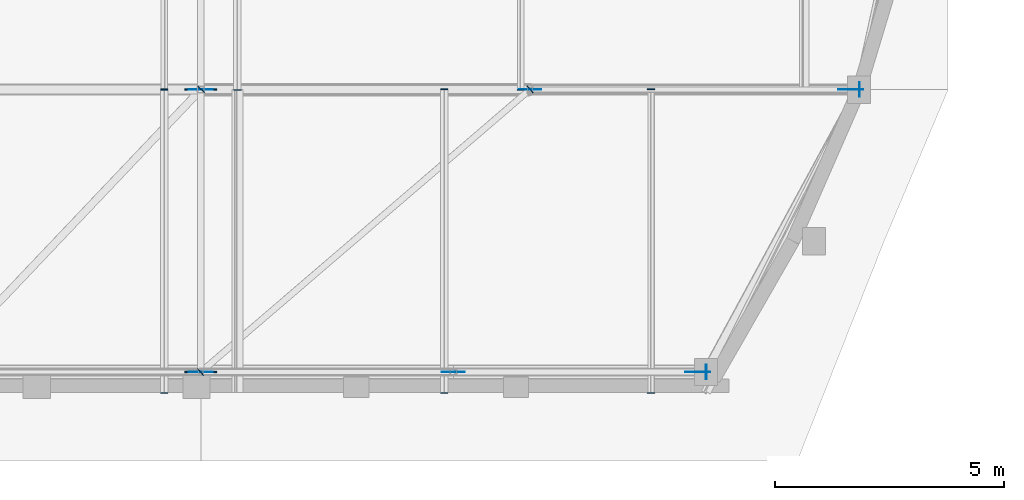
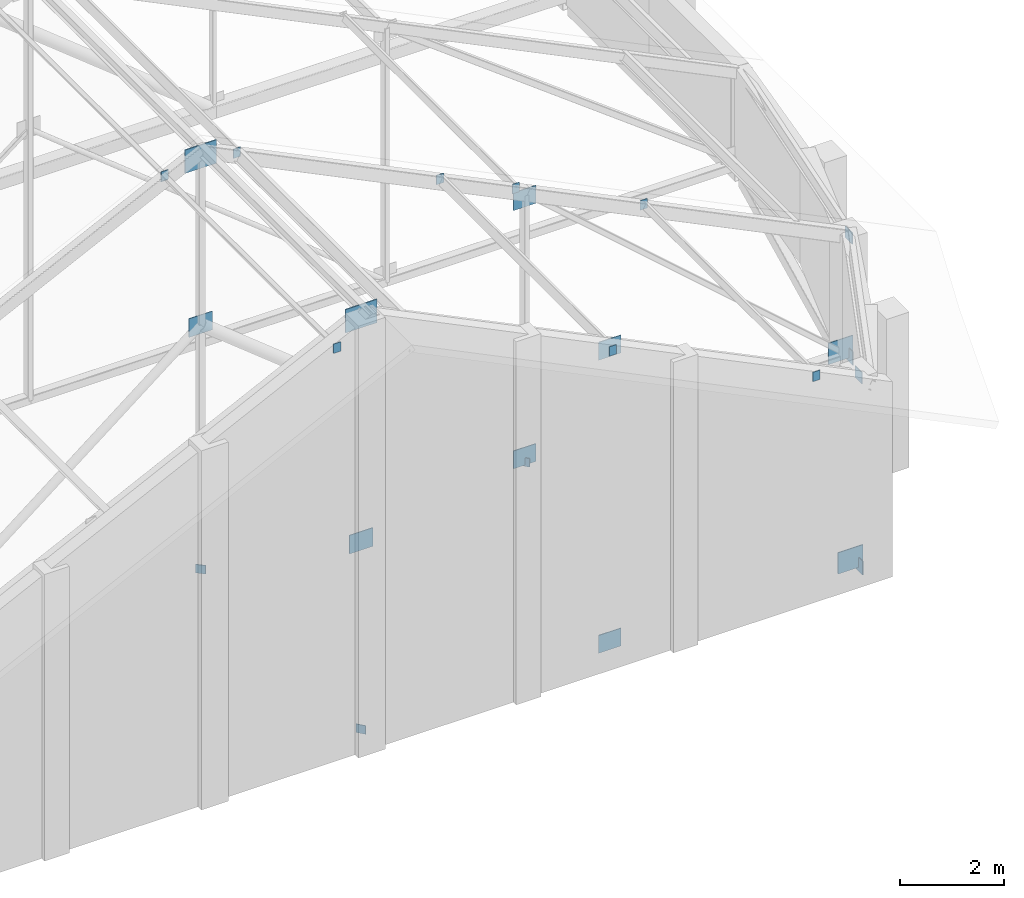
# One storey, part 39 of 78: 26 plates.
"""IFC4 building model written with IfcOpenShell, lengths in metres."""

from ifc_helpers import new_model, si_unit, direction, frame, origin, origin_2d, place, context, subcontext, project, spatial, rectangle, extrude, material, layer, layer_set, type_object, element, save


model = new_model("IFC4")

# Units and contexts
model_context = context("Model", 3, precision=1e-05, world=origin(), true_north=direction((0.0, 1.0)))
body_context = subcontext(model_context, "Body", "Model", "MODEL_VIEW")
ifc_project = project(units=[si_unit("LENGTHUNIT", "METRE"), si_unit("AREAUNIT", "SQUARE_METRE"), si_unit("VOLUMEUNIT", "CUBIC_METRE"), si_unit("PLANEANGLEUNIT", "RADIAN"), si_unit("MASSUNIT", "GRAM", prefix="KILO")], contexts=[model_context])

# Site, building, storey
site_placement = place(None, origin())
site = spatial("IfcSite", under=ifc_project, at=site_placement, CompositionType="ELEMENT")
building_placement = place(site_placement, origin())
building = spatial("IfcBuilding", under=site, at=building_placement, Name="Kelanivale Promenade Academy", CompositionType="ELEMENT")
storey_placement = place(building_placement, frame((0.0, 0.0, 16.199951171875)))
storey = spatial("IfcBuildingStorey", under=building, at=storey_placement, Name="L04", CompositionType="ELEMENT", Elevation=16.199951171875)

# Plates
ifc_material = material(Name="Steel S355", Category="steel")
ifc_layer_1 = layer(ifc_material, 0.01611328125)
ifc_layer_set_1 = layer_set([ifc_layer_1], Name="Steel S355")
plate_type_1 = type_object("IfcPlateType", Name="TN-CP16 Plate 16mm", PredefinedType="USERDEFINED", material=ifc_layer_set_1)
for number, where, z_axis, x_axis, name in (
    (1, (30.657958984375, 33.449951171875, 4.510009765625), (0.0, 0.0, 1.0), (1.0, 0.0, 0.0), "ROOF TRUSS TN-5 hollow-section end cap plate"),
    (2, (34.008056640625, 39.62890625, 2.8740234375), (0.0, 0.0, 1.0), (1.0, 0.0, 0.0), "ROOF TRUSS TN-5 hollow-section end cap plate"),
):
    element("IfcPlate", number, at=place(storey_placement, frame(where, z_axis=z_axis, x_axis=x_axis)), inside=storey, type_object=plate_type_1, Name=name, ObjectType="CAP PLATE", PredefinedType="USERDEFINED", context=body_context, shape_type="SweptSolid", body=[
        extrude(rectangle(XDim=0.01611328125, YDim=0.27001953125, at=origin_2d()), origin(), (0.0, 0.0, 1.0), 0.27001953125),
    ])
for number, where, z_axis, x_axis, name in (
    (3, (18.800048828125, 32.991943359375, 9.60498046875), (0.0, 0.0, 1.0), (0.0, -1.0, 0.0), "ROOF TRUSS TN-4 hollow-section end cap plate"),
    (4, (18.800048828125, 39.636962890625, 9.60498046875), (0.0, 0.0, 1.0), (0.0, 1.0, 0.0), "ROOF TRUSS TN-4 hollow-section end cap plate"),
    (5, (24.925048828125, 32.991943359375, 7.39501953125), (0.0, 0.0, 1.0), (0.0, -1.0, 0.0), "ROOF TRUSS TN-4 hollow-section end cap plate"),
    (6, (24.925048828125, 39.636962890625, 7.39501953125), (0.0, 0.0, 1.0), (0.0, 1.0, 0.0), "ROOF TRUSS TN-4 hollow-section end cap plate"),
    (7, (29.449951171875, 32.991943359375, 5.2138671875), (0.0, 0.0, 1.0), (0.0, -1.0, 0.0), "ROOF TRUSS TN-4 hollow-section end cap plate"),
    (8, (29.449951171875, 39.636962890625, 5.2138671875), (0.0, 0.0, 1.0), (0.0, 1.0, 0.0), "ROOF TRUSS TN-4 hollow-section end cap plate"),
):
    element("IfcPlate", number, at=place(storey_placement, frame(where, z_axis=z_axis, x_axis=x_axis)), inside=storey, type_object=plate_type_1, Name=name, ObjectType="CAP PLATE", PredefinedType="USERDEFINED", context=body_context, shape_type="SweptSolid", body=[
        extrude(rectangle(XDim=0.01611328125, YDim=0.159912109375, at=origin_2d()), origin(), (0.0, 0.0, 1.0), 0.219970703125),
    ])
for number, where, z_axis, x_axis, name in (
    (9, (19.60595703125, 39.635009765625, 0.10009765625), (0.0, 0.0, 1.0), (0.688734286451, 0.725013849983, 0.0), "ROOF TRUSS TN-3 hollow-section end cap plate"),
    (10, (19.593994140625, 33.445068359375, 0.10009765625), (0.0, 0.0, 1.0), (-0.758816796231, -0.651304130002, 0.0), "ROOF TRUSS TN-3 hollow-section end cap plate"),
    (11, (26.805908203125, 39.634033203125, 0.10009765625), (0.0, 0.0, 1.0), (0.758816796231, 0.651304130002, 0.0), "ROOF TRUSS TN-3 hollow-section end cap plate"),
):
    element("IfcPlate", number, at=place(storey_placement, frame(where, z_axis=z_axis, x_axis=x_axis)), inside=storey, type_object=plate_type_1, Name=name, ObjectType="CAP PLATE", PredefinedType="USERDEFINED", context=body_context, shape_type="SweptSolid", body=[
        extrude(rectangle(XDim=0.01611328125, YDim=0.199951171875, at=origin_2d()), origin(), (0.0, 0.0, 1.0), 0.199951171875),
    ])
for number, where, z_axis, x_axis, name in (
    (12, (18.800048828125, 39.62109375, 9.63330078125), (0.0, 0.0, 1.0), (0.0, -1.0, 0.0), "ROOF TRUSS TN-4 hollow-section end cap plate"),
    (13, (20.39990234375, 39.62109375, 9.60498046875), (0.0, 0.0, 1.0), (0.0, -1.0, 0.0), "ROOF TRUSS TN-4 hollow-section end cap plate"),
    (14, (26.60009765625, 39.62109375, 6.60498046875), (0.0, 0.0, 1.0), (0.0, -1.0, 0.0), "ROOF TRUSS TN-4 hollow-section end cap plate"),
):
    element("IfcPlate", number, at=place(storey_placement, frame(where, z_axis=z_axis, x_axis=x_axis)), inside=storey, type_object=plate_type_1, Name=name, ObjectType="CAP PLATE", PredefinedType="USERDEFINED", context=body_context, shape_type="SweptSolid", body=[
        extrude(rectangle(XDim=0.01611328125, YDim=0.159912109375, at=origin_2d()), origin(), (0.0, 0.0, 1.0), 0.219970703125),
    ])
ifc_layer_2 = layer(ifc_material, 0.02001953125)
ifc_layer_set_2 = layer_set([ifc_layer_2], Name="Steel S355")
plate_type_2 = type_object("IfcPlateType", Name="TN-CP20 Plate 20mm", PredefinedType="USERDEFINED", material=ifc_layer_set_2)
for number, where, z_axis, x_axis, name in (
    (15, (30.659912109375, 33.449951171875, 0.0400390625), (0.0, 0.0, 1.0), (1.0, 0.0, 0.0), "ROOF TRUSS TN-5 hollow-section end cap plate"),
    (16, (34.010009765625, 39.62890625, 0.0400390625), (0.0, 0.0, 1.0), (1.0, 0.0, 0.0), "ROOF TRUSS TN-5 hollow-section end cap plate"),
):
    element("IfcPlate", number, at=place(storey_placement, frame(where, z_axis=z_axis, x_axis=x_axis)), inside=storey, type_object=plate_type_2, Name=name, ObjectType="CAP PLATE", PredefinedType="USERDEFINED", context=body_context, shape_type="SweptSolid", body=[
        extrude(rectangle(XDim=0.02001953125, YDim=0.320068359375, at=origin_2d()), origin(), (0.0, 0.0, 1.0), 0.320068359375),
    ])
ifc_layer_3 = layer(ifc_material, 0.01611328125)
ifc_layer_set_3 = layer_set([ifc_layer_3], Name="Steel S355")
plate_type_3 = type_object("IfcPlateType", Name="TN-GP16 Plate 16mm", PredefinedType="USERDEFINED", material=ifc_layer_set_3)
plate_1_placement = place(storey_placement, frame((19.60009765625, 33.449951171875, 4.400146484375), z_axis=(0.0, 0.0, 1.0), x_axis=(1.0, 0.0, 0.0)))
element("IfcPlate", 17, at=plate_1_placement, inside=storey, type_object=plate_type_3, Name="ROOF TRUSS TN-2D welded node gusset plate", ObjectType="GUSSET PLATE", PredefinedType="USERDEFINED", context=body_context, shape_type="SweptSolid", body=[
    extrude(rectangle(XDim=0.52001953125, YDim=0.01611328125, at=origin_2d()), origin(), (0.0, 0.0, 1.0), 0.43994140625),
])
for number, where, z_axis, x_axis, name in (
    (18, (25.125, 33.449951171875, 0.130126953125), (0.0, 0.0, 1.0), (1.0, 0.0, 0.0), "ROOF TRUSS TN-3E welded node gusset plate"),
    (19, (25.125, 33.449951171875, 7.01416015625), (0.0, 0.0, 1.0), (1.0, 0.0, 0.0), "ROOF TRUSS TN-4E welded node gusset plate"),
):
    element("IfcPlate", number, at=place(storey_placement, frame(where, z_axis=z_axis, x_axis=x_axis)), inside=storey, type_object=plate_type_3, Name=name, ObjectType="GUSSET PLATE", PredefinedType="USERDEFINED", context=body_context, shape_type="SweptSolid", body=[
        extrude(rectangle(XDim=0.5, YDim=0.01611328125, at=origin_2d()), origin(), (0.0, 0.0, 1.0), 0.419921875),
    ])
plate_2_placement = place(storey_placement, frame((19.60009765625, 39.62890625, 5.739990234375), z_axis=(0.0, 0.0, 1.0), x_axis=(1.0, 0.0, 0.0)))
element("IfcPlate", 20, at=plate_2_placement, inside=storey, type_object=plate_type_3, Name="ROOF TRUSS TN-2D welded node gusset plate", ObjectType="GUSSET PLATE", PredefinedType="USERDEFINED", context=body_context, shape_type="SweptSolid", body=[
    extrude(rectangle(XDim=0.52001953125, YDim=0.01611328125, at=origin_2d()), origin(), (0.0, 0.0, 1.0), 0.43994140625),
])
for number, where, z_axis, x_axis, name in (
    (21, (26.800048828125, 39.62890625, 0.130126953125), (0.0, 0.0, 1.0), (1.0, 0.0, 0.0), "ROOF TRUSS TN-3E welded node gusset plate"),
    (22, (26.800048828125, 39.62890625, 6.196044921875), (0.0, 0.0, 1.0), (1.0, 0.0, 0.0), "ROOF TRUSS TN-4E welded node gusset plate"),
):
    element("IfcPlate", number, at=place(storey_placement, frame(where, z_axis=z_axis, x_axis=x_axis)), inside=storey, type_object=plate_type_3, Name=name, ObjectType="GUSSET PLATE", PredefinedType="USERDEFINED", context=body_context, shape_type="SweptSolid", body=[
        extrude(rectangle(XDim=0.5, YDim=0.01611328125, at=origin_2d()), origin(), (0.0, 0.0, 1.0), 0.419921875),
    ])
ifc_layer_4 = layer(ifc_material, 0.02001953125)
ifc_layer_set_4 = layer_set([ifc_layer_4], Name="Steel S355")
plate_type_4 = type_object("IfcPlateType", Name="TN-GP20 Plate 20mm", PredefinedType="USERDEFINED", material=ifc_layer_set_4)
for number, where, z_axis, x_axis, name in (
    (23, (30.469970703125, 33.449951171875, 0.130126953125), (0.0, 0.0, 1.0), (1.0, 0.0, 0.0), "ROOF TRUSS TN-5 welded node gusset plate"),
    (24, (33.820068359375, 39.62890625, 0.130126953125), (0.0, 0.0, 1.0), (1.0, 0.0, 0.0), "ROOF TRUSS TN-5 welded node gusset plate"),
):
    element("IfcPlate", number, at=place(storey_placement, frame(where, z_axis=z_axis, x_axis=x_axis)), inside=storey, type_object=plate_type_4, Name=name, ObjectType="GUSSET PLATE", PredefinedType="USERDEFINED", context=body_context, shape_type="SweptSolid", body=[
        extrude(rectangle(XDim=0.550048828125, YDim=0.02001953125, at=origin_2d()), origin(), (0.0, 0.0, 1.0), 0.5),
    ])
ifc_layer_5 = layer(ifc_material, 0.02490234375)
ifc_layer_set_5 = layer_set([ifc_layer_5], Name="Steel S355")
plate_type_5 = type_object("IfcPlateType", Name="TN-GP25 Plate 25mm", PredefinedType="USERDEFINED", material=ifc_layer_set_5)
for number, where, z_axis, x_axis, name in (
    (25, (19.60009765625, 33.449951171875, 9.626953125), (0.0, 0.0, 1.0), (1.0, 0.0, 0.0), "ROOF TRUSS TN-2 welded node gusset plate"),
    (26, (19.60009765625, 39.62890625, 9.626953125), (0.0, 0.0, 1.0), (1.0, 0.0, 0.0), "ROOF TRUSS TN-2 welded node gusset plate"),
):
    element("IfcPlate", number, at=place(storey_placement, frame(where, z_axis=z_axis, x_axis=x_axis)), inside=storey, type_object=plate_type_5, Name=name, ObjectType="GUSSET PLATE", PredefinedType="USERDEFINED", context=body_context, shape_type="SweptSolid", body=[
        extrude(rectangle(XDim=0.699951171875, YDim=0.02490234375, at=origin_2d()), origin(), (0.0, 0.0, 1.0), 0.550048828125),
    ])

save(model, "model.ifc")
